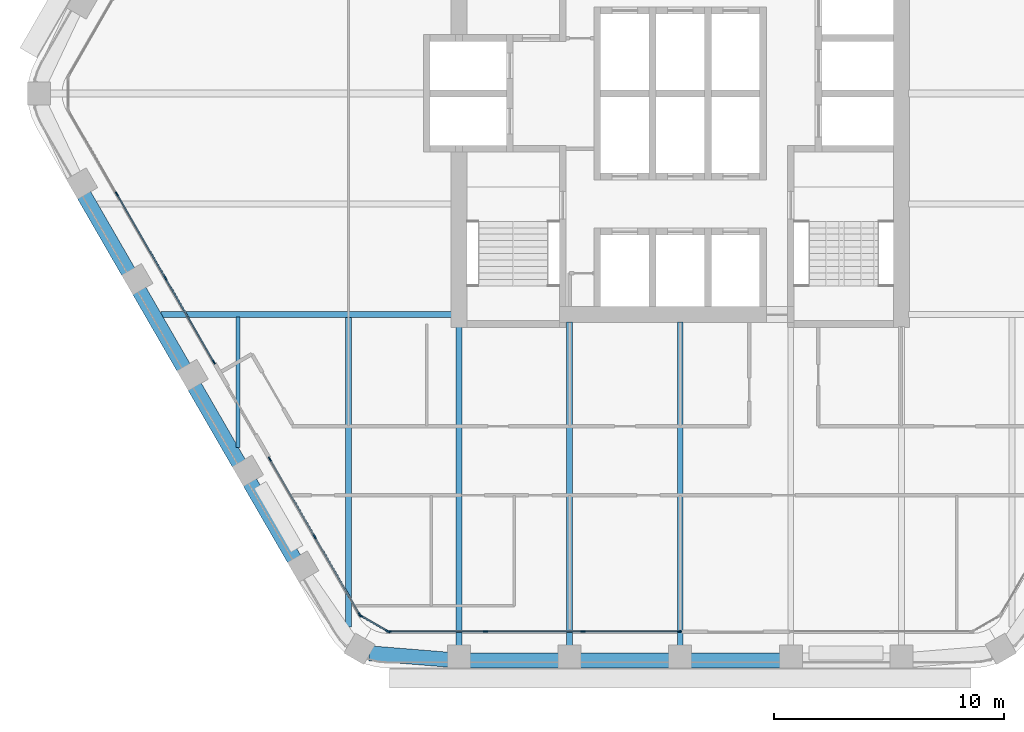
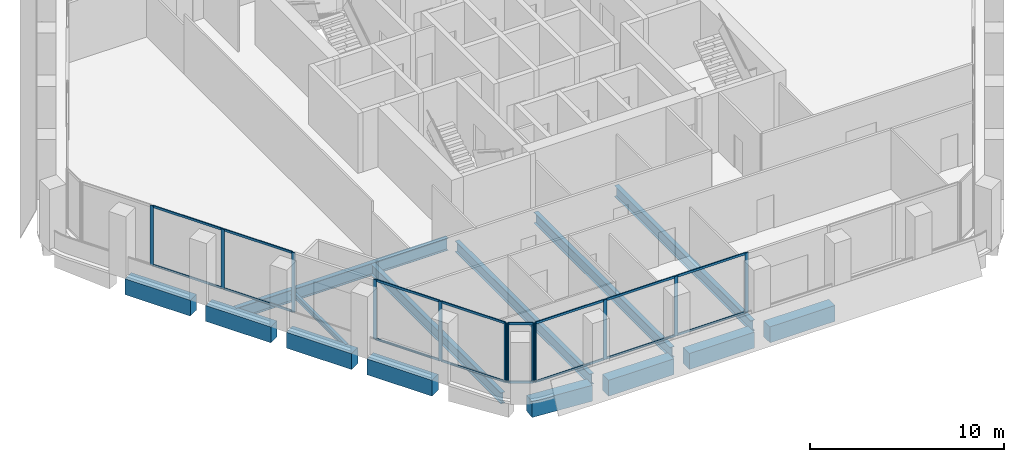
# One storey, part 2 of 15: 28 members, 14 beams, 4 elements without a shape of their own.
"""IFC4 building model written with IfcOpenShell, lengths in metres."""

from ifc_helpers import new_model, si_unit, direction, frame, origin, origin_2d, place, context, subcontext, project, spatial, rectangle, i_section, extrude, material, material_profile, profile_set, type_object, element, aggregate, save


model = new_model("IFC4")

# Units and contexts
model_context = context("Model", 3, precision=1e-05, world=origin(), true_north=direction((0.0, 1.0)))
body_context = subcontext(model_context, "Body", "Model", "MODEL_VIEW")
ifc_project = project(units=[si_unit("LENGTHUNIT", "METRE"), si_unit("AREAUNIT", "SQUARE_METRE"), si_unit("VOLUMEUNIT", "CUBIC_METRE"), si_unit("PLANEANGLEUNIT", "RADIAN"), si_unit("MASSUNIT", "GRAM", prefix="KILO")], contexts=[model_context])

# Site, building, storey
site_placement = place(None, origin())
site = spatial("IfcSite", under=ifc_project, at=site_placement, CompositionType="ELEMENT")
building_placement = place(site_placement, origin())
building = spatial("IfcBuilding", under=site, at=building_placement, Name="Kolab Exchange Tower", CompositionType="ELEMENT")
storey_placement = place(building_placement, frame((0.0, 0.0, 205.10009765625)))
storey = spatial("IfcBuildingStorey", under=building, at=storey_placement, Name="L44", CompositionType="ELEMENT", Elevation=205.10009765625)

# Beams
ifc_material_1 = material(Name="Steel S355", Category="steel")
ifc_material_profile_1 = material_profile(ifc_material_1, i_section(OverallWidth=0.1650390625, OverallDepth=0.31005859375, WebThickness=0.005859375, FlangeThickness=0.009765625, at=origin_2d()), Name="W310X39")
ifc_profile_set_1 = profile_set([ifc_material_profile_1], Name="Steel S355")
beam_type_1 = type_object("IfcBeamType", Name="FLOOR BEAM W310X39", PredefinedType="BEAM", material=ifc_profile_set_1)
beam_1_placement = place(storey_placement, frame((-19.199951171875, -15.36767578125, -0.30517578125), z_axis=(0.0, 1.0, 0.0), x_axis=(-1.0, 0.0, 0.0)))
element("IfcBeam", 1, at=beam_1_placement, inside=storey, type_object=beam_type_1, Name="beam/L44/fr/003", PredefinedType="BEAM", context=body_context, shape_type="SweptSolid", body=[
    extrude(i_section(OverallWidth=0.1650390625, OverallDepth=0.31005859375, WebThickness=0.005859375, FlangeThickness=0.009765625, at=origin_2d()), origin(), (0.0, 0.0, 1.0), 5.674072265625),
])
ifc_material_profile_2 = material_profile(ifc_material_1, i_section(OverallWidth=0.25390625, OverallDepth=0.68408203125, WebThickness=0.012451171875, FlangeThickness=0.018798828125, at=origin_2d()), Name="W690X140")
ifc_profile_set_2 = profile_set([ifc_material_profile_2], Name="Steel S355")
beam_type_2 = type_object("IfcBeamType", Name="FLOOR BEAM W690X140", PredefinedType="BEAM", material=ifc_profile_set_2)
beam_2_placement = place(storey_placement, frame((-14.39990234375, -23.15576171875, -0.4921875), z_axis=(0.0, 1.0, 0.0), x_axis=(-1.0, 0.0, 0.0)))
element("IfcBeam", 2, at=beam_2_placement, inside=storey, type_object=beam_type_2, Name="beam/L44/fr/005", PredefinedType="BEAM", context=body_context, shape_type="SweptSolid", body=[
    extrude(i_section(OverallWidth=0.25390625, OverallDepth=0.68408203125, WebThickness=0.012451171875, FlangeThickness=0.018798828125, at=origin_2d()), origin(), (0.0, 0.0, 1.0), 13.462158203125),
])
beam_3_placement = place(storey_placement, frame((-9.60009765625, -23.9814453125, -0.4921875), z_axis=(0.0, 1.0, 0.0), x_axis=(-1.0, 0.0, 0.0)))
element("IfcBeam", 3, at=beam_3_placement, inside=storey, type_object=beam_type_2, Name="beam/L44/fr/007", PredefinedType="BEAM", context=body_context, shape_type="SweptSolid", body=[
    extrude(i_section(OverallWidth=0.25390625, OverallDepth=0.68408203125, WebThickness=0.012451171875, FlangeThickness=0.018798828125, at=origin_2d()), origin(), (0.0, 0.0, 1.0), 13.871337890625),
])
for number, where, z_axis, x_axis, name in (
    (4, (-4.800048828125, -23.9814453125, -0.4921875), (0.0, 1.0, 0.0), (-1.0, 0.0, 0.0), "beam/L44/fr/009"),
    (5, (0.0, -23.9814453125, -0.4921875), (0.0, 1.0, 0.0), (-1.0, 0.0, 0.0), "beam/L44/fr/011"),
):
    element("IfcBeam", number, at=place(storey_placement, frame(where, z_axis=z_axis, x_axis=x_axis)), inside=storey, type_object=beam_type_2, Name=name, PredefinedType="BEAM", context=body_context, shape_type="SweptSolid", body=[
        extrude(i_section(OverallWidth=0.25390625, OverallDepth=0.68408203125, WebThickness=0.012451171875, FlangeThickness=0.018798828125, at=origin_2d()), origin(), (0.0, 0.0, 1.0), 14.071533203125),
    ])
ifc_material_profile_3 = material_profile(ifc_material_1, i_section(OverallWidth=0.26708984375, OverallDepth=0.761962890625, WebThickness=0.014404296875, FlangeThickness=0.021484375, at=origin_2d()), Name="W760X173")
ifc_profile_set_3 = profile_set([ifc_material_profile_3], Name="Steel S355")
beam_type_3 = type_object("IfcBeamType", Name="FLOOR GIRDER W760X173", PredefinedType="BEAM", material=ifc_profile_set_3)
beam_4_placement = place(storey_placement, frame((-22.546875, -9.60009765625, -0.531005859375), z_axis=(1.0, 0.0, 0.0), x_axis=(0.0, 1.0, 0.0)))
element("IfcBeam", 6, at=beam_4_placement, inside=storey, type_object=beam_type_3, Name="beam/L44/gd/000", PredefinedType="BEAM", context=body_context, shape_type="SweptSolid", body=[
    extrude(i_section(OverallWidth=0.26708984375, OverallDepth=0.761962890625, WebThickness=0.014404296875, FlangeThickness=0.021484375, at=origin_2d()), origin(), (0.0, 0.0, 1.0), 12.636962890625),
])
ifc_material_2 = material(Name="Concrete C60/75", Category="concrete")
ifc_material_profile_4 = material_profile(ifc_material_2, rectangle(XDim=0.64990234375, YDim=1.0, at=origin_2d()), Name="RC650X1000")
ifc_profile_set_4 = profile_set([ifc_material_profile_4], Name="Concrete C60/75")
beam_type_4 = type_object("IfcBeamType", Name="SPANDREL BEAM 650X1000 C60/75", PredefinedType="BEAM", material=ifc_profile_set_4)
for number, where, z_axis, x_axis, name in (
    (7, (4.340087890625, -24.616455078125, -0.650146484375), (-1.0, 0.0, 0.0), (0.0, -1.0, 0.0), "beam/L44/sp/F4-03"),
    (8, (-0.4599609375, -24.616455078125, -0.650146484375), (-1.0, 0.0, 0.0), (0.0, -1.0, 0.0), "beam/L44/sp/F4-04"),
):
    element("IfcBeam", number, at=place(storey_placement, frame(where, z_axis=z_axis, x_axis=x_axis)), inside=storey, type_object=beam_type_4, Name=name, PredefinedType="BEAM", context=body_context, shape_type="SweptSolid", body=[
        extrude(rectangle(XDim=0.64990234375, YDim=1.0, at=origin_2d()), origin(), (0.0, 0.0, 1.0), 3.880126953125),
    ])
beam_5_placement = place(storey_placement, frame((-5.260009765625, -24.616455078125, -0.650146484375), z_axis=(-1.0, 0.0, 0.0), x_axis=(0.0, -1.0, 0.0)))
element("IfcBeam", 9, at=beam_5_placement, inside=storey, type_object=beam_type_4, Name="beam/L44/sp/F4-05", PredefinedType="BEAM", context=body_context, shape_type="SweptSolid", body=[
    extrude(rectangle(XDim=0.64990234375, YDim=1.0, at=origin_2d()), origin(), (0.0, 0.0, 1.0), 3.8798828125),
])
beam_6_placement = place(storey_placement, frame((-10.06005859375, -24.5791015625, -0.650146484375), z_axis=(-0.996708497182, 0.081068931445, 0.0), x_axis=(-0.081068931445, -0.996708497182, 0.0)))
element("IfcBeam", 10, at=beam_6_placement, inside=storey, type_object=beam_type_4, Name="beam/L44/sp/F4-06", PredefinedType="BEAM", context=body_context, shape_type="SweptSolid", body=[
    extrude(rectangle(XDim=0.64990234375, YDim=1.0, at=origin_2d()), origin(), (0.0, 0.0, 1.0), 3.445068359375),
])
beam_7_placement = place(storey_placement, frame((-16.74853515625, -20.2236328125, -0.650146484375), z_axis=(-0.499996613652, 0.866027358884, 0.0), x_axis=(-0.866027358884, -0.499996613652, 0.0)))
element("IfcBeam", 11, at=beam_7_placement, inside=storey, type_object=beam_type_4, Name="beam/L44/sp/F5-02", PredefinedType="BEAM", context=body_context, shape_type="SweptSolid", body=[
    extrude(rectangle(XDim=0.64990234375, YDim=1.0, at=origin_2d()), origin(), (0.0, 0.0, 1.0), 3.8798828125),
])
beam_8_placement = place(storey_placement, frame((-19.1484375, -16.06689453125, -0.650146484375), z_axis=(-0.50001655835, 0.866015843605, 0.0), x_axis=(-0.866015843605, -0.50001655835, 0.0)))
element("IfcBeam", 12, at=beam_8_placement, inside=storey, type_object=beam_type_4, Name="beam/L44/sp/F5-03", PredefinedType="BEAM", context=body_context, shape_type="SweptSolid", body=[
    extrude(rectangle(XDim=0.64990234375, YDim=1.0, at=origin_2d()), origin(), (0.0, 0.0, 1.0), 3.880126953125),
])
for number, where, z_axis, x_axis, name in (
    (13, (-21.548583984375, -11.909912109375, -0.650146484375), (-0.499996613652, 0.866027358884, 0.0), (-0.866027358884, -0.499996613652, 0.0), "beam/L44/sp/F5-04"),
    (14, (-23.948486328125, -7.7529296875, -0.650146484375), (-0.499996613652, 0.866027358884, 0.0), (-0.866027358884, -0.499996613652, 0.0), "beam/L44/sp/F5-05"),
):
    element("IfcBeam", number, at=place(storey_placement, frame(where, z_axis=z_axis, x_axis=x_axis)), inside=storey, type_object=beam_type_4, Name=name, PredefinedType="BEAM", context=body_context, shape_type="SweptSolid", body=[
        extrude(rectangle(XDim=0.64990234375, YDim=1.0, at=origin_2d()), origin(), (0.0, 0.0, 1.0), 3.8798828125),
    ])

# Curtain wall, members
ifc_material_3 = material(Name="Aluminium EN AW-6063 T6", Category="aluminium")
curtain_wall_type = type_object("IfcCurtainWallType", Name="UNITISED UPPER MID ZONE CURTAIN WALL", PredefinedType="NOTDEFINED", material=ifc_material_3)
curtain_wall_1_placement = place(storey_placement, origin())
curtain_wall_1 = element("IfcCurtainWall", 15, at=curtain_wall_1_placement, inside=storey, type_object=curtain_wall_type, Name="cw/L44/F4-2", PredefinedType="NOTDEFINED")
ifc_material_profile_5 = material_profile(ifc_material_3, rectangle(XDim=0.06005859375, YDim=0.199951171875, at=origin_2d()), Name="RECT 60X200")
ifc_profile_set_5 = profile_set([ifc_material_profile_5], Name="Aluminium EN AW-6063 T6")
member_type_1 = type_object("IfcMemberType", Name="UNITISED UPPER MID ZONE MULLION 60 X 200", PredefinedType="MULLION", material=ifc_profile_set_5)
member_1_placement = place(storey_placement, frame((-0.030029296875, -23.361572265625, 0.0), z_axis=(0.0, 0.0, 1.0), x_axis=(0.0, -1.0, 0.0)))
member_1 = element("IfcMember", 16, at=member_1_placement, type_object=member_type_1, Name="CW3 mullion 1", PredefinedType="MULLION", context=body_context, shape_type="SweptSolid", body=[
    extrude(rectangle(XDim=0.06005859375, YDim=0.199951171875, at=origin_2d()), origin(), (0.0, 0.0, 1.0), 3.75),
])
member_2_placement = place(storey_placement, frame((-4.22265625, -23.361572265625, 0.0), z_axis=(0.0, 0.0, 1.0), x_axis=(0.0, -1.0, 0.0)))
member_2 = element("IfcMember", 17, at=member_2_placement, type_object=member_type_1, Name="CW3 mullion 2", PredefinedType="MULLION", context=body_context, shape_type="SweptSolid", body=[
    extrude(rectangle(XDim=0.06005859375, YDim=0.199951171875, at=origin_2d()), origin(), (0.0, 0.0, 1.0), 3.75),
])
member_3_placement = place(storey_placement, frame((-8.4453125, -23.361572265625, 0.0), z_axis=(0.0, 0.0, 1.0), x_axis=(0.0, -1.0, 0.0)))
member_3 = element("IfcMember", 18, at=member_3_placement, type_object=member_type_1, Name="CW3 mullion 3", PredefinedType="MULLION", context=body_context, shape_type="SweptSolid", body=[
    extrude(rectangle(XDim=0.06005859375, YDim=0.199951171875, at=origin_2d()), origin(), (0.0, 0.0, 1.0), 3.75),
])
member_4_placement = place(storey_placement, frame((-12.637939453125, -23.361572265625, 0.0), z_axis=(0.0, 0.0, 1.0), x_axis=(0.0, -1.0, 0.0)))
member_4 = element("IfcMember", 19, at=member_4_placement, type_object=member_type_1, Name="CW3 mullion 4", PredefinedType="MULLION", context=body_context, shape_type="SweptSolid", body=[
    extrude(rectangle(XDim=0.06005859375, YDim=0.199951171875, at=origin_2d()), origin(), (0.0, 0.0, 1.0), 3.75),
])

curtain_wall_2_placement = place(storey_placement, origin())
curtain_wall_2 = element("IfcCurtainWall", 20, at=curtain_wall_2_placement, inside=storey, type_object=curtain_wall_type, Name="cw/L44/F5-1", PredefinedType="NOTDEFINED")
member_5_placement = place(storey_placement, frame((-13.91259765625, -22.62548828125, 0.0), z_axis=(0.0, 0.0, 1.0), x_axis=(-0.866025385493, -0.500000031681, 0.0)))
member_5 = element("IfcMember", 21, at=member_5_placement, type_object=member_type_1, Name="CW3 mullion 1", PredefinedType="MULLION", context=body_context, shape_type="SweptSolid", body=[
    extrude(rectangle(XDim=0.06005859375, YDim=0.199951171875, at=origin_2d()), origin(), (0.0, 0.0, 1.0), 3.75),
])
member_6_placement = place(storey_placement, frame((-15.86474609375, -19.24462890625, 0.0), z_axis=(0.0, 0.0, 1.0), x_axis=(-0.866025385493, -0.500000031681, 0.0)))
member_6 = element("IfcMember", 22, at=member_6_placement, type_object=member_type_1, Name="CW3 mullion 2", PredefinedType="MULLION", context=body_context, shape_type="SweptSolid", body=[
    extrude(rectangle(XDim=0.06005859375, YDim=0.199951171875, at=origin_2d()), origin(), (0.0, 0.0, 1.0), 3.75),
])
member_7_placement = place(storey_placement, frame((-17.816650390625, -15.86376953125, 0.0), z_axis=(0.0, 0.0, 1.0), x_axis=(-0.866025385493, -0.500000031681, 0.0)))
member_7 = element("IfcMember", 23, at=member_7_placement, type_object=member_type_1, Name="CW3 mullion 3", PredefinedType="MULLION", context=body_context, shape_type="SweptSolid", body=[
    extrude(rectangle(XDim=0.06005859375, YDim=0.199951171875, at=origin_2d()), origin(), (0.0, 0.0, 1.0), 3.75),
])

curtain_wall_3_placement = place(storey_placement, origin())
curtain_wall_3 = element("IfcCurtainWall", 24, at=curtain_wall_3_placement, inside=storey, type_object=curtain_wall_type, Name="cw/L44/F5-2", PredefinedType="NOTDEFINED")
member_8_placement = place(storey_placement, frame((-20.24658203125, -11.65478515625, 0.0), z_axis=(0.0, 0.0, 1.0), x_axis=(-0.866025427826, -0.499999958358, 0.0)))
member_8 = element("IfcMember", 25, at=member_8_placement, type_object=member_type_1, Name="CW3 mullion 1", PredefinedType="MULLION", context=body_context, shape_type="SweptSolid", body=[
    extrude(rectangle(XDim=0.06005859375, YDim=0.199951171875, at=origin_2d()), origin(), (0.0, 0.0, 1.0), 3.75),
])
member_9_placement = place(storey_placement, frame((-22.343017578125, -8.02392578125, 0.0), z_axis=(0.0, 0.0, 1.0), x_axis=(-0.866025427826, -0.499999958358, 0.0)))
member_9 = element("IfcMember", 26, at=member_9_placement, type_object=member_type_1, Name="CW3 mullion 2", PredefinedType="MULLION", context=body_context, shape_type="SweptSolid", body=[
    extrude(rectangle(XDim=0.06005859375, YDim=0.199951171875, at=origin_2d()), origin(), (0.0, 0.0, 1.0), 3.75),
])
member_10_placement = place(storey_placement, frame((-24.454345703125, -4.366943359375, 0.0), z_axis=(0.0, 0.0, 1.0), x_axis=(-0.866025427826, -0.499999958358, 0.0)))
member_10 = element("IfcMember", 27, at=member_10_placement, type_object=member_type_1, Name="CW3 mullion 3", PredefinedType="MULLION", context=body_context, shape_type="SweptSolid", body=[
    extrude(rectangle(XDim=0.06005859375, YDim=0.199951171875, at=origin_2d()), origin(), (0.0, 0.0, 1.0), 3.75),
])

curtain_wall_4_placement = place(storey_placement, origin())
curtain_wall_4 = element("IfcCurtainWall", 28, at=curtain_wall_4_placement, inside=storey, type_object=curtain_wall_type, Name="cw/L44/F4F5-corner", PredefinedType="NOTDEFINED")
member_11_placement = place(storey_placement, frame((-12.69384765625, -23.346435546875, 0.0), z_axis=(0.0, 0.0, 1.0), x_axis=(-0.50000002237, -0.866025390869, 0.0)))
member_11 = element("IfcMember", 29, at=member_11_placement, type_object=member_type_1, Name="CW3 mullion 1", PredefinedType="MULLION", context=body_context, shape_type="SweptSolid", body=[
    extrude(rectangle(XDim=0.06005859375, YDim=0.199951171875, at=origin_2d()), origin(), (0.0, 0.0, 1.0), 3.75),
])
member_12_placement = place(storey_placement, frame((-13.871826171875, -22.66650390625, 0.0), z_axis=(0.0, 0.0, 1.0), x_axis=(-0.50000002237, -0.866025390869, 0.0)))
member_12 = element("IfcMember", 30, at=member_12_placement, type_object=member_type_1, Name="CW3 mullion 2", PredefinedType="MULLION", context=body_context, shape_type="SweptSolid", body=[
    extrude(rectangle(XDim=0.06005859375, YDim=0.199951171875, at=origin_2d()), origin(), (0.0, 0.0, 1.0), 3.75),
])

# Member
ifc_material_profile_6 = material_profile(ifc_material_3, rectangle(XDim=0.06005859375, YDim=0.139892578125, at=origin_2d()), Name="RECT 60X140")
ifc_profile_set_6 = profile_set([ifc_material_profile_6], Name="Aluminium EN AW-6063 T6")
member_type_2 = type_object("IfcMemberType", Name="UNITISED UPPER MID ZONE TRANSOM 60 X 140", PredefinedType="USERDEFINED", material=ifc_profile_set_6)
member_13_placement = place(storey_placement, frame((-0.06005859375, -23.361572265625, 0.02978515625), z_axis=(-1.0, 0.0, 0.0), x_axis=(0.0, -1.0, 0.0)))
member_13 = element("IfcMember", 31, at=member_13_placement, type_object=member_type_2, Name="CW3 transom 1.1", ObjectType="TRANSOM", PredefinedType="USERDEFINED", context=body_context, shape_type="SweptSolid", body=[
    extrude(rectangle(XDim=0.06005859375, YDim=0.139892578125, at=origin_2d()), origin(), (0.0, 0.0, 1.0), 4.132568359375),
])

member_14_placement = place(storey_placement, frame((-0.06005859375, -23.361572265625, 3.719970703125), z_axis=(-1.0, 0.0, 0.0), x_axis=(0.0, -1.0, 0.0)))
member_14 = element("IfcMember", 32, at=member_14_placement, type_object=member_type_2, Name="CW3 transom 1.2", ObjectType="TRANSOM", PredefinedType="USERDEFINED", context=body_context, shape_type="SweptSolid", body=[
    extrude(rectangle(XDim=0.06005859375, YDim=0.139892578125, at=origin_2d()), origin(), (0.0, 0.0, 1.0), 4.132568359375),
])

member_15_placement = place(storey_placement, frame((-4.252685546875, -23.361572265625, 0.02978515625), z_axis=(-1.0, 0.0, 0.0), x_axis=(0.0, -1.0, 0.0)))
member_15 = element("IfcMember", 33, at=member_15_placement, type_object=member_type_2, Name="CW3 transom 2.1", ObjectType="TRANSOM", PredefinedType="USERDEFINED", context=body_context, shape_type="SweptSolid", body=[
    extrude(rectangle(XDim=0.06005859375, YDim=0.139892578125, at=origin_2d()), origin(), (0.0, 0.0, 1.0), 4.16259765625),
])

member_16_placement = place(storey_placement, frame((-4.252685546875, -23.361572265625, 3.719970703125), z_axis=(-1.0, 0.0, 0.0), x_axis=(0.0, -1.0, 0.0)))
member_16 = element("IfcMember", 34, at=member_16_placement, type_object=member_type_2, Name="CW3 transom 2.2", ObjectType="TRANSOM", PredefinedType="USERDEFINED", context=body_context, shape_type="SweptSolid", body=[
    extrude(rectangle(XDim=0.06005859375, YDim=0.139892578125, at=origin_2d()), origin(), (0.0, 0.0, 1.0), 4.16259765625),
])

member_17_placement = place(storey_placement, frame((-8.475341796875, -23.361572265625, 0.02978515625), z_axis=(-1.0, 0.0, 0.0), x_axis=(0.0, -1.0, 0.0)))
member_17 = element("IfcMember", 35, at=member_17_placement, type_object=member_type_2, Name="CW3 transom 3.1", ObjectType="TRANSOM", PredefinedType="USERDEFINED", context=body_context, shape_type="SweptSolid", body=[
    extrude(rectangle(XDim=0.06005859375, YDim=0.139892578125, at=origin_2d()), origin(), (0.0, 0.0, 1.0), 4.132568359375),
])

member_18_placement = place(storey_placement, frame((-8.475341796875, -23.361572265625, 3.719970703125), z_axis=(-1.0, 0.0, 0.0), x_axis=(0.0, -1.0, 0.0)))
member_18 = element("IfcMember", 36, at=member_18_placement, type_object=member_type_2, Name="CW3 transom 3.2", ObjectType="TRANSOM", PredefinedType="USERDEFINED", context=body_context, shape_type="SweptSolid", body=[
    extrude(rectangle(XDim=0.06005859375, YDim=0.139892578125, at=origin_2d()), origin(), (0.0, 0.0, 1.0), 4.132568359375),
])

aggregate(curtain_wall_1, [member_1, member_2, member_3, member_4, member_13, member_14, member_15, member_16, member_17, member_18])

member_19_placement = place(storey_placement, frame((-13.927734375, -22.599609375, 0.02978515625), z_axis=(-0.499964356602, 0.866045981532, 0.0), x_axis=(-0.866045981532, -0.499964356602, 0.0)))
member_19 = element("IfcMember", 37, at=member_19_placement, type_object=member_type_2, Name="CW3 transom 1.1", ObjectType="TRANSOM", PredefinedType="USERDEFINED", context=body_context, shape_type="SweptSolid", body=[
    extrude(rectangle(XDim=0.06005859375, YDim=0.139892578125, at=origin_2d()), origin(), (0.0, 0.0, 1.0), 3.843994140625),
])

member_20_placement = place(storey_placement, frame((-13.927734375, -22.599609375, 3.719970703125), z_axis=(-0.499964356602, 0.866045981532, 0.0), x_axis=(-0.866045981532, -0.499964356602, 0.0)))
member_20 = element("IfcMember", 38, at=member_20_placement, type_object=member_type_2, Name="CW3 transom 1.2", ObjectType="TRANSOM", PredefinedType="USERDEFINED", context=body_context, shape_type="SweptSolid", body=[
    extrude(rectangle(XDim=0.06005859375, YDim=0.139892578125, at=origin_2d()), origin(), (0.0, 0.0, 1.0), 3.843994140625),
])

member_21_placement = place(storey_placement, frame((-15.879638671875, -19.21875, 0.02978515625), z_axis=(-0.500011990396, 0.866018481016, 0.0), x_axis=(-0.866018481016, -0.500011990396, 0.0)))
member_21 = element("IfcMember", 39, at=member_21_placement, type_object=member_type_2, Name="CW3 transom 2.1", ObjectType="TRANSOM", PredefinedType="USERDEFINED", context=body_context, shape_type="SweptSolid", body=[
    extrude(rectangle(XDim=0.06005859375, YDim=0.139892578125, at=origin_2d()), origin(), (0.0, 0.0, 1.0), 3.84423828125),
])

member_22_placement = place(storey_placement, frame((-15.879638671875, -19.21875, 3.719970703125), z_axis=(-0.500011990396, 0.866018481016, 0.0), x_axis=(-0.866018481016, -0.500011990396, 0.0)))
member_22 = element("IfcMember", 40, at=member_22_placement, type_object=member_type_2, Name="CW3 transom 2.2", ObjectType="TRANSOM", PredefinedType="USERDEFINED", context=body_context, shape_type="SweptSolid", body=[
    extrude(rectangle(XDim=0.06005859375, YDim=0.139892578125, at=origin_2d()), origin(), (0.0, 0.0, 1.0), 3.84423828125),
])

aggregate(curtain_wall_2, [member_5, member_6, member_7, member_19, member_20, member_21, member_22])

member_23_placement = place(storey_placement, frame((-20.26171875, -11.62890625, 0.02978515625), z_axis=(-0.500001996123, 0.866024251319, 0.0), x_axis=(-0.866024251319, -0.500001996123, 0.0)))
member_23 = element("IfcMember", 41, at=member_23_placement, type_object=member_type_2, Name="CW3 transom 1.1", ObjectType="TRANSOM", PredefinedType="USERDEFINED", context=body_context, shape_type="SweptSolid", body=[
    extrude(rectangle(XDim=0.06005859375, YDim=0.139892578125, at=origin_2d()), origin(), (0.0, 0.0, 1.0), 4.1328125),
])

member_24_placement = place(storey_placement, frame((-20.26171875, -11.62890625, 3.719970703125), z_axis=(-0.500001996123, 0.866024251319, 0.0), x_axis=(-0.866024251319, -0.500001996123, 0.0)))
member_24 = element("IfcMember", 42, at=member_24_placement, type_object=member_type_2, Name="CW3 transom 1.2", ObjectType="TRANSOM", PredefinedType="USERDEFINED", context=body_context, shape_type="SweptSolid", body=[
    extrude(rectangle(XDim=0.06005859375, YDim=0.139892578125, at=origin_2d()), origin(), (0.0, 0.0, 1.0), 4.1328125),
])

member_25_placement = place(storey_placement, frame((-22.35791015625, -7.997802734375, 0.02978515625), z_axis=(-0.49999322259, 0.866029316688, 0.0), x_axis=(-0.866029316688, -0.49999322259, 0.0)))
member_25 = element("IfcMember", 43, at=member_25_placement, type_object=member_type_2, Name="CW3 transom 2.1", ObjectType="TRANSOM", PredefinedType="USERDEFINED", context=body_context, shape_type="SweptSolid", body=[
    extrude(rectangle(XDim=0.06005859375, YDim=0.139892578125, at=origin_2d()), origin(), (0.0, 0.0, 1.0), 4.16259765625),
])

member_26_placement = place(storey_placement, frame((-22.35791015625, -7.997802734375, 3.719970703125), z_axis=(-0.49999322259, 0.866029316688, 0.0), x_axis=(-0.866029316688, -0.49999322259, 0.0)))
member_26 = element("IfcMember", 44, at=member_26_placement, type_object=member_type_2, Name="CW3 transom 2.2", ObjectType="TRANSOM", PredefinedType="USERDEFINED", context=body_context, shape_type="SweptSolid", body=[
    extrude(rectangle(XDim=0.06005859375, YDim=0.139892578125, at=origin_2d()), origin(), (0.0, 0.0, 1.0), 4.16259765625),
])

aggregate(curtain_wall_3, [member_8, member_9, member_10, member_23, member_24, member_25, member_26])

member_27_placement = place(storey_placement, frame((-12.719970703125, -23.33154296875, 0.02978515625), z_axis=(-0.86603858612, 0.49997716683, 0.0), x_axis=(-0.49997716683, -0.86603858612, 0.0)))
member_27 = element("IfcMember", 45, at=member_27_placement, type_object=member_type_2, Name="CW3 transom 1.1", ObjectType="TRANSOM", PredefinedType="USERDEFINED", context=body_context, shape_type="SweptSolid", body=[
    extrude(rectangle(XDim=0.06005859375, YDim=0.139892578125, at=origin_2d()), origin(), (0.0, 0.0, 1.0), 1.2998046875),
])

member_28_placement = place(storey_placement, frame((-12.719970703125, -23.33154296875, 3.719970703125), z_axis=(-0.86603858612, 0.49997716683, 0.0), x_axis=(-0.49997716683, -0.86603858612, 0.0)))
member_28 = element("IfcMember", 46, at=member_28_placement, type_object=member_type_2, Name="CW3 transom 1.2", ObjectType="TRANSOM", PredefinedType="USERDEFINED", context=body_context, shape_type="SweptSolid", body=[
    extrude(rectangle(XDim=0.06005859375, YDim=0.139892578125, at=origin_2d()), origin(), (0.0, 0.0, 1.0), 1.2998046875),
])

aggregate(curtain_wall_4, [member_11, member_12, member_27, member_28])

save(model, "model.ifc")
